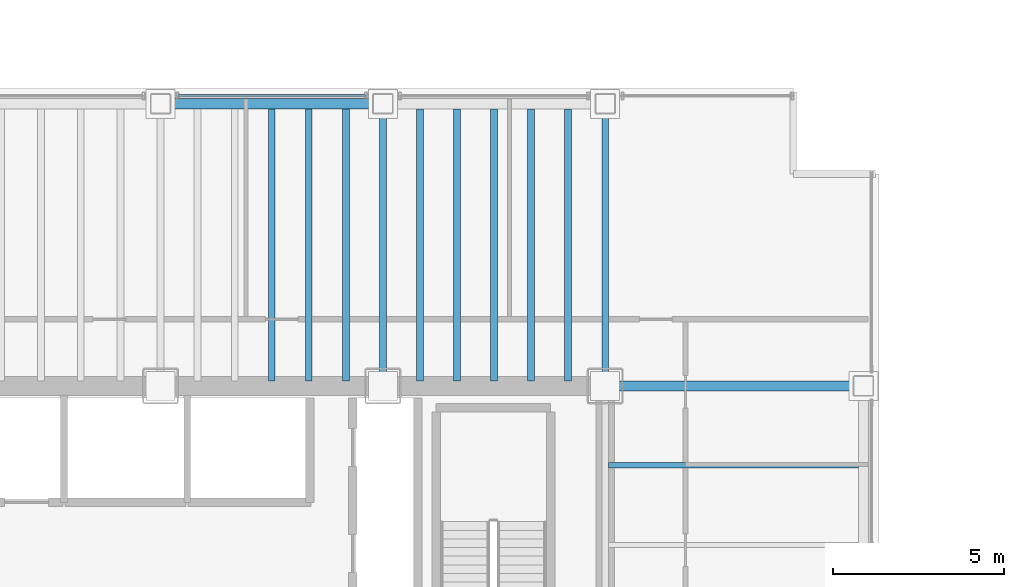
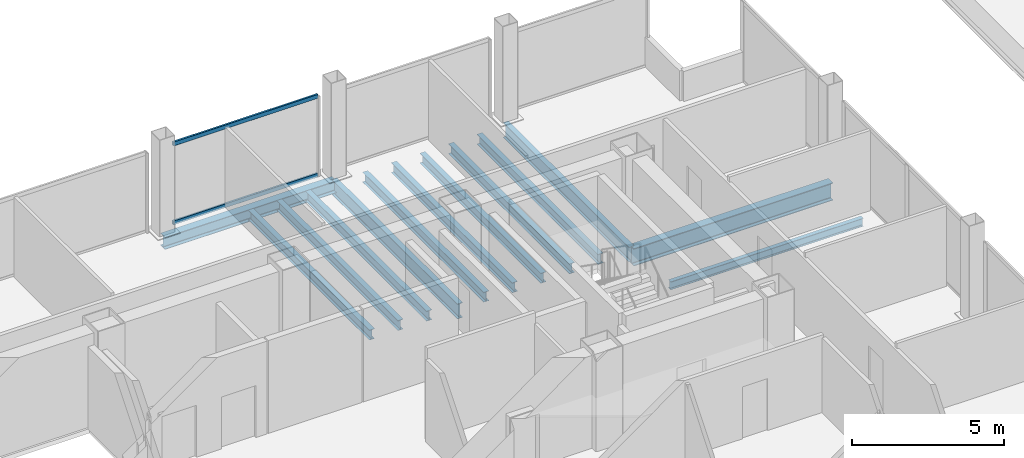
# One storey, part 19 of 30: 13 beams, 2 members, 1 element without a shape of its own.
"""IFC4 building model written with IfcOpenShell, lengths in metres."""

from ifc_helpers import new_model, si_unit, direction, frame, origin, origin_2d, place, context, subcontext, project, spatial, hollow_rectangle, i_section, extrude, material, material_profile, profile_set, type_object, element, aggregate, save


model = new_model("IFC4")

# Units and contexts
model_context = context("Model", 3, precision=1e-05, world=origin(), true_north=direction((0.0, 1.0)))
body_context = subcontext(model_context, "Body", "Model", "MODEL_VIEW")
ifc_project = project(units=[si_unit("LENGTHUNIT", "METRE"), si_unit("AREAUNIT", "SQUARE_METRE"), si_unit("VOLUMEUNIT", "CUBIC_METRE"), si_unit("PLANEANGLEUNIT", "RADIAN"), si_unit("MASSUNIT", "GRAM", prefix="KILO")], contexts=[model_context])

# Site, building, storey
site_placement = place(None, origin())
site = spatial("IfcSite", under=ifc_project, at=site_placement, CompositionType="ELEMENT")
building_placement = place(site_placement, origin())
building = spatial("IfcBuilding", under=site, at=building_placement, Name="Noeulbin Bourse Tower", CompositionType="ELEMENT")
storey_placement = place(building_placement, frame((0.0, 0.0, 26.5)))
storey = spatial("IfcBuildingStorey", under=building, at=storey_placement, Name="L06", CompositionType="ELEMENT", Elevation=26.5)

# Beams
ifc_material_1 = material(Name="Steel S355", Category="steel")
ifc_material_profile_1 = material_profile(ifc_material_1, i_section(OverallWidth=0.199951171875, OverallDepth=0.60009765625, WebThickness=0.010986328125, FlangeThickness=0.01708984375, FilletRadius=0.02197265625, at=origin_2d()), Name="H-600x200x11x17", Category="LoadBearing")
ifc_profile_set_1 = profile_set([ifc_material_profile_1], Name="Steel S355")
beam_type_1 = type_object("IfcBeamType", Name="BM-GRD-600", PredefinedType="USERDEFINED", material=ifc_profile_set_1)
for number, where, z_axis, x_axis, name in (
    (1, (37.5, 38.300048828125, -0.47998046875), (0.0, 1.0, 0.0), (-1.0, 0.0, 0.0), "Tower Primary Girder NS L06-4.4"),
    (2, (44.0, 38.300048828125, -0.47998046875), (0.0, 1.0, 0.0), (-1.0, 0.0, 0.0), "Tower Primary Girder NS L06-5.4"),
):
    element("IfcBeam", number, at=place(storey_placement, frame(where, z_axis=z_axis, x_axis=x_axis)), inside=storey, type_object=beam_type_1, Name=name, ObjectType="GIRDER", PredefinedType="USERDEFINED", context=body_context, shape_type="SweptSolid", body=[
        extrude(i_section(OverallWidth=0.199951171875, OverallDepth=0.60009765625, WebThickness=0.010986328125, FlangeThickness=0.01708984375, FilletRadius=0.02197265625, at=origin_2d()), origin(), (0.0, 0.0, 1.0), 8.25),
    ])
ifc_material_profile_2 = material_profile(ifc_material_1, i_section(OverallWidth=0.300048828125, OverallDepth=0.699951171875, WebThickness=0.012939453125, FlangeThickness=0.02392578125, FilletRadius=0.02392578125, at=origin_2d()), Name="H-700x300x13x24", Category="LoadBearing")
ifc_profile_set_2 = profile_set([ifc_material_profile_2], Name="Steel S355")
beam_type_2 = type_object("IfcBeamType", Name="BM-GRD-700", PredefinedType="USERDEFINED", material=ifc_profile_set_2)
beam_1_placement = place(storey_placement, frame((44.0, 38.300048828125, -0.530029296875), z_axis=(1.0, 0.0, 0.0), x_axis=(0.0, 1.0, 0.0)))
element("IfcBeam", 3, at=beam_1_placement, inside=storey, type_object=beam_type_2, Name="Tower Primary Girder EW L06-3.6", ObjectType="GIRDER", PredefinedType="USERDEFINED", context=body_context, shape_type="SweptSolid", body=[
    extrude(i_section(OverallWidth=0.300048828125, OverallDepth=0.699951171875, WebThickness=0.012939453125, FlangeThickness=0.02392578125, FilletRadius=0.02392578125, at=origin_2d()), origin(), (0.0, 0.0, 1.0), 7.550048828125),
])
ifc_material_profile_3 = material_profile(ifc_material_1, i_section(OverallWidth=0.159912109375, OverallDepth=0.320068359375, WebThickness=0.006591796875, FlangeThickness=0.010009765625, FilletRadius=0.012939453125, at=origin_2d()), Name="H-320x160x6.5x10", Category="LoadBearing")
ifc_profile_set_3 = profile_set([ifc_material_profile_3], Name="Steel S355")
beam_type_3 = type_object("IfcBeamType", Name="BM-JST-320", PredefinedType="JOIST", material=ifc_profile_set_3)
beam_2_placement = place(storey_placement, frame((44.10009765625, 35.97509765625, -0.340087890625), z_axis=(1.0, 0.0, 0.0), x_axis=(0.0, 1.0, 0.0)))
element("IfcBeam", 4, at=beam_2_placement, inside=storey, type_object=beam_type_3, Name="Wing Composite Joist L06-E80", PredefinedType="JOIST", context=body_context, shape_type="SweptSolid", body=[
    extrude(i_section(OverallWidth=0.159912109375, OverallDepth=0.320068359375, WebThickness=0.006591796875, FlangeThickness=0.010009765625, FilletRadius=0.012939453125, at=origin_2d()), origin(), (0.0, 0.0, 1.0), 7.2998046875),
])
ifc_material_profile_4 = material_profile(ifc_material_1, i_section(OverallWidth=0.199951171875, OverallDepth=0.39990234375, WebThickness=0.008056640625, FlangeThickness=0.012939453125, FilletRadius=0.01611328125, at=origin_2d()), Name="H-400x200x8x13", Category="LoadBearing")
ifc_profile_set_4 = profile_set([ifc_material_profile_4], Name="Steel S355")
beam_type_4 = type_object("IfcBeamType", Name="BM-SEC-400", PredefinedType="BEAM", material=ifc_profile_set_4)
for number, where, z_axis, x_axis, name in (
    (5, (34.25, 38.449951171875, -0.3798828125), (0.0, 1.0, 0.0), (-1.0, 0.0, 0.0), "Tower Composite Joist L06-47"),
    (6, (35.333251953125, 38.449951171875, -0.3798828125), (0.0, 1.0, 0.0), (-1.0, 0.0, 0.0), "Tower Composite Joist L06-50"),
    (7, (36.416748046875, 38.449951171875, -0.3798828125), (0.0, 1.0, 0.0), (-1.0, 0.0, 0.0), "Tower Composite Joist L06-53"),
    (8, (38.583251953125, 38.449951171875, -0.3798828125), (0.0, 1.0, 0.0), (-1.0, 0.0, 0.0), "Tower Composite Joist L06-56"),
    (9, (39.666748046875, 38.449951171875, -0.3798828125), (0.0, 1.0, 0.0), (-1.0, 0.0, 0.0), "Tower Composite Joist L06-59"),
    (10, (40.75, 38.449951171875, -0.3798828125), (0.0, 1.0, 0.0), (-1.0, 0.0, 0.0), "Tower Composite Joist L06-62"),
    (11, (41.833251953125, 38.449951171875, -0.3798828125), (0.0, 1.0, 0.0), (-1.0, 0.0, 0.0), "Tower Composite Joist L06-65"),
    (12, (42.916748046875, 38.449951171875, -0.3798828125), (0.0, 1.0, 0.0), (-1.0, 0.0, 0.0), "Tower Composite Joist L06-68"),
):
    element("IfcBeam", number, at=place(storey_placement, frame(where, z_axis=z_axis, x_axis=x_axis)), inside=storey, type_object=beam_type_4, Name=name, PredefinedType="BEAM", context=body_context, shape_type="SweptSolid", body=[
        extrude(i_section(OverallWidth=0.199951171875, OverallDepth=0.39990234375, WebThickness=0.008056640625, FlangeThickness=0.012939453125, FilletRadius=0.01611328125, at=origin_2d()), origin(), (0.0, 0.0, 1.0), 7.949951171875),
    ])
ifc_material_profile_5 = material_profile(ifc_material_1, i_section(OverallWidth=0.300048828125, OverallDepth=0.488037109375, WebThickness=0.010986328125, FlangeThickness=0.01806640625, FilletRadius=0.02197265625, at=origin_2d()), Name="H-488x300x11x18", Category="LoadBearing")
ifc_profile_set_5 = profile_set([ifc_material_profile_5], Name="Steel S355")
beam_type_5 = type_object("IfcBeamType", Name="BM-SPN-488", PredefinedType="SPANDREL", material=ifc_profile_set_5)
beam_3_placement = place(storey_placement, frame((31.0, 46.550048828125, -0.424072265625), z_axis=(1.0, 0.0, 0.0), x_axis=(0.0, 1.0, 0.0)))
element("IfcBeam", 13, at=beam_3_placement, inside=storey, type_object=beam_type_5, Name="North Spandrel L06-3", PredefinedType="SPANDREL", context=body_context, shape_type="SweptSolid", body=[
    extrude(i_section(OverallWidth=0.300048828125, OverallDepth=0.488037109375, WebThickness=0.010986328125, FlangeThickness=0.01806640625, FilletRadius=0.02197265625, at=origin_2d()), origin(), (0.0, 0.0, 1.0), 6.5),
])

# Curtain wall, members
ifc_material_2 = material(Name="Dark Solar-Control Double Glazing", Category="glass")
curtain_wall_type = type_object("IfcCurtainWallType", Name="CW-SYS-2", PredefinedType="NOTDEFINED", material=ifc_material_2)
curtain_wall_placement = place(storey_placement, origin())
curtain_wall = element("IfcCurtainWall", 14, at=curtain_wall_placement, inside=storey, type_object=curtain_wall_type, Name="Unitised Curtain Wall CW-L06-N-S4", PredefinedType="NOTDEFINED")
ifc_material_3 = material(Name="Anodised Aluminium 6063-T6", Category="aluminium")
ifc_material_profile_6 = material_profile(ifc_material_3, hollow_rectangle(XDim=0.074951171875, YDim=0.159912109375, WallThickness=0.0048828125, InnerFilletRadius=0.00244140625, OuterFilletRadius=0.0048828125, at=origin_2d()), Name="ALU-TRAN-75x160x5", Category="LoadBearing")
ifc_profile_set_6 = profile_set([ifc_material_profile_6], Name="Anodised Aluminium 6063-T6")
member_type = type_object("IfcMemberType", Name="CW-SYS-2-TRN", PredefinedType="USERDEFINED", material=ifc_profile_set_6)
member_1_placement = place(storey_placement, frame((31.510009765625, 46.780029296875, 0.010009765625), z_axis=(1.0, 0.0, 0.0), x_axis=(0.0, 1.0, 0.0)))
member_1 = element("IfcMember", 15, at=member_1_placement, type_object=member_type, Name="Curtain Wall Transom CW-L06-N-S4-T00", ObjectType="TRANSOM", PredefinedType="USERDEFINED", context=body_context, shape_type="SweptSolid", body=[
    extrude(hollow_rectangle(XDim=0.074951171875, YDim=0.159912109375, WallThickness=0.0048828125, InnerFilletRadius=0.00244140625, OuterFilletRadius=0.0048828125, at=origin_2d()), origin(), (0.0, 0.0, 1.0), 5.47998046875),
])
member_2_placement = place(storey_placement, frame((31.510009765625, 46.780029296875, 3.169921875), z_axis=(1.0, 0.0, 0.0), x_axis=(0.0, 1.0, 0.0)))
member_2 = element("IfcMember", 16, at=member_2_placement, type_object=member_type, Name="Curtain Wall Transom CW-L06-N-S4-T01", ObjectType="TRANSOM", PredefinedType="USERDEFINED", context=body_context, shape_type="SweptSolid", body=[
    extrude(hollow_rectangle(XDim=0.074951171875, YDim=0.159912109375, WallThickness=0.0048828125, InnerFilletRadius=0.00244140625, OuterFilletRadius=0.0048828125, at=origin_2d()), origin(), (0.0, 0.0, 1.0), 5.47998046875),
])
aggregate(curtain_wall, [member_1, member_2])

save(model, "model.ifc")
